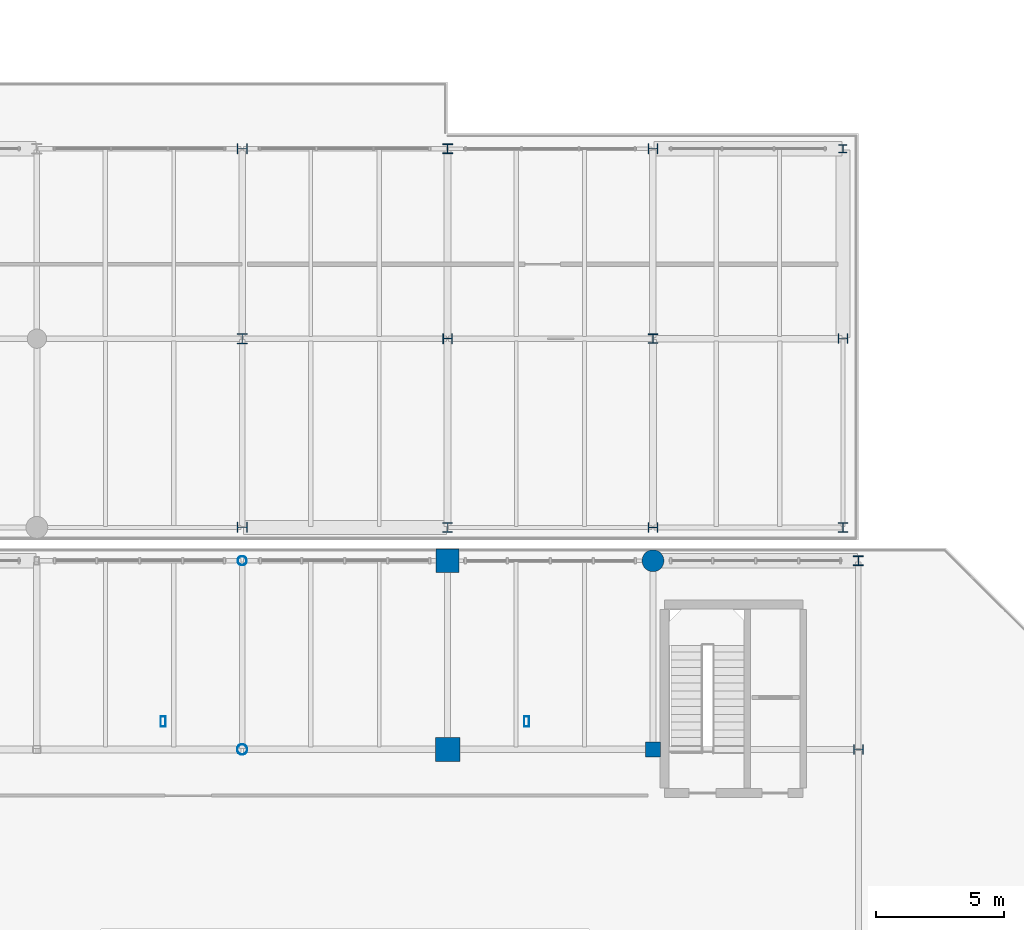
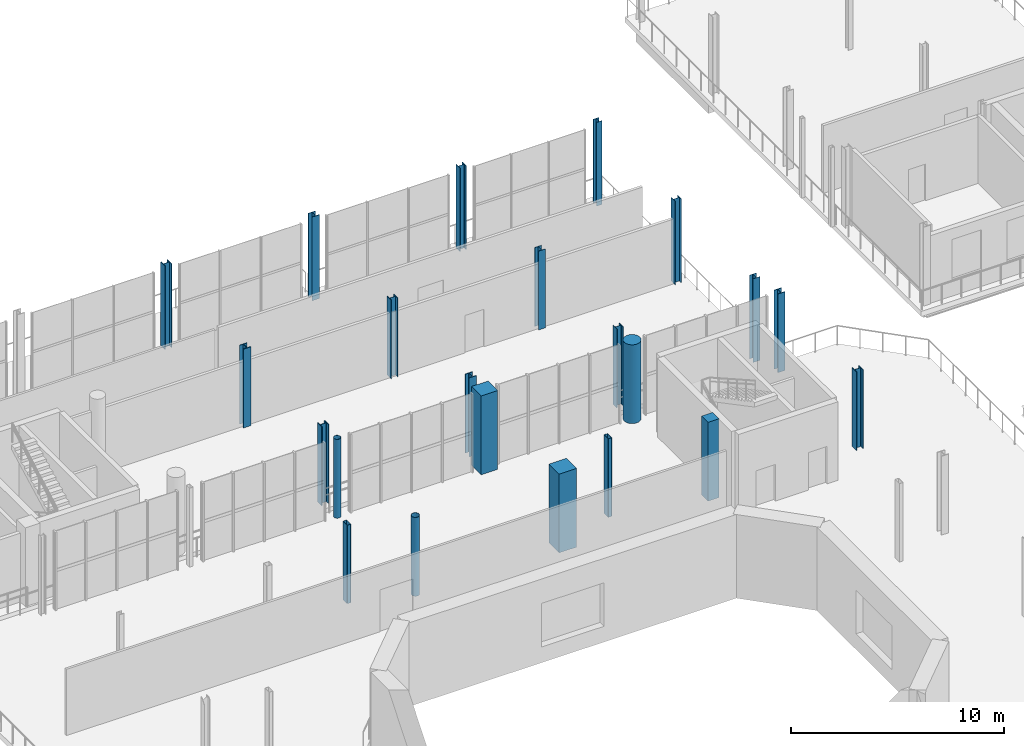
# One storey, part 22 of 93: 22 columns.
"""IFC4 building model written with IfcOpenShell, lengths in metres."""

from ifc_helpers import new_model, si_unit, direction, frame, origin, origin_2d, place, context, subcontext, project, spatial, rectangle, hollow_rectangle, circle, hollow_circle, i_section, extrude, material, material_profile, profile_set, type_object, element, save


model = new_model("IFC4")

# Units and contexts
model_context = context("Model", 3, precision=1e-05, world=origin(), true_north=direction((0.0, 1.0)))
body_context = subcontext(model_context, "Body", "Model", "MODEL_VIEW")
ifc_project = project(units=[si_unit("LENGTHUNIT", "METRE"), si_unit("AREAUNIT", "SQUARE_METRE"), si_unit("VOLUMEUNIT", "CUBIC_METRE"), si_unit("PLANEANGLEUNIT", "RADIAN"), si_unit("MASSUNIT", "GRAM", prefix="KILO")], contexts=[model_context])

# Site, building, storey
site_placement = place(None, origin())
site = spatial("IfcSite", under=ifc_project, at=site_placement, CompositionType="ELEMENT")
building_placement = place(site_placement, origin())
building = spatial("IfcBuilding", under=site, at=building_placement, Name="Brisemont Oceanarium", CompositionType="ELEMENT")
storey_placement = place(building_placement, frame((0.0, 0.0, 5.39990234375)))
storey = spatial("IfcBuildingStorey", under=building, at=storey_placement, Name="L01", CompositionType="ELEMENT", Elevation=5.39990234375)

# Columns
ifc_material_1 = material(Name="Structural Steel ASTM A500 Gr.C", Category="steel")
ifc_material_profile_1 = material_profile(ifc_material_1, hollow_circle(Radius=0.177978515625, WallThickness=0.01171875, at=origin_2d()), Name="HSS14.000X0.500")
ifc_profile_set_1 = profile_set([ifc_material_profile_1], Name="Structural Steel ASTM A500 Gr.C")
column_type_1 = type_object("IfcColumnType", Name="COL-CHS14", PredefinedType="COLUMN", material=ifc_profile_set_1)
column_1_placement = place(storey_placement, frame((80.0, 79.35009765625, 0.0), z_axis=(0.0, 0.0, 1.0), x_axis=(0.0, 1.0, 0.0)))
element("IfcColumn", 1, at=column_1_placement, inside=storey, type_object=column_type_1, Name="V1 L01 column (3,6)", PredefinedType="COLUMN", context=body_context, shape_type="SweptSolid", body=[
    extrude(hollow_circle(Radius=0.177978515625, WallThickness=0.01171875, at=origin_2d()), origin(), (0.0, 0.0, 1.0), 4.52001953125),
])
ifc_material_2 = material(Name="Structural Steel ASTM A500 Gr.C", Category="steel")
ifc_material_profile_2 = material_profile(ifc_material_2, hollow_circle(Radius=0.202880859375, WallThickness=0.01171875, at=origin_2d()), Name="HSS16.000X0.500")
ifc_profile_set_2 = profile_set([ifc_material_profile_2], Name="Structural Steel ASTM A500 Gr.C")
column_type_2 = type_object("IfcColumnType", Name="COL-CHS16", PredefinedType="COLUMN", material=ifc_profile_set_2)
column_2_placement = place(storey_placement, frame((80.0, 72.0, 0.0), z_axis=(0.0, 0.0, 1.0), x_axis=(1.0, 0.0, 0.0)))
element("IfcColumn", 2, at=column_2_placement, inside=storey, type_object=column_type_2, Name="V1 L01 column (3,5)", PredefinedType="COLUMN", context=body_context, shape_type="SweptSolid", body=[
    extrude(hollow_circle(Radius=0.202880859375, WallThickness=0.01171875, at=origin_2d()), origin(), (0.0, 0.0, 1.0), 4.52001953125),
])
ifc_material_3 = material(Name="Structural Steel ASTM A500 Gr.C", Category="steel")
ifc_material_profile_3 = material_profile(ifc_material_3, hollow_rectangle(XDim=0.202880859375, YDim=0.406005859375, WallThickness=0.01171875, InnerFilletRadius=0.01220703125, OuterFilletRadius=0.02392578125, at=origin_2d()), Name="HSS16X8X1/2")
ifc_profile_set_3 = profile_set([ifc_material_profile_3], Name="Structural Steel ASTM A500 Gr.C")
column_type_3 = type_object("IfcColumnType", Name="COL-HSS16X8", PredefinedType="COLUMN", material=ifc_profile_set_3)
for number, where, z_axis, x_axis, name in (
    (3, (91.07958984375, 73.091796875, 0.0), (0.0, 0.0, 1.0), (1.0, 0.0, 0.0), "V1 dome drum pier L01.2"),
    (4, (76.92041015625, 73.091796875, 0.0), (0.0, 0.0, 1.0), (1.0, 0.0, 0.0), "V1 dome drum pier L01.3"),
):
    element("IfcColumn", number, at=place(storey_placement, frame(where, z_axis=z_axis, x_axis=x_axis)), inside=storey, type_object=column_type_3, Name=name, PredefinedType="COLUMN", context=body_context, shape_type="SweptSolid", body=[
        extrude(hollow_rectangle(XDim=0.202880859375, YDim=0.406005859375, WallThickness=0.01171875, InnerFilletRadius=0.01220703125, OuterFilletRadius=0.02392578125, at=origin_2d()), origin(), (0.0, 0.0, 1.0), 4.5),
    ])
ifc_material_4 = material(Name="Concrete C35/45", Category="concrete")
ifc_material_profile_4 = material_profile(ifc_material_4, rectangle(XDim=0.60009765625, YDim=0.60009765625, at=origin_2d()), Name="RC-COL-600X600")
ifc_profile_set_4 = profile_set([ifc_material_profile_4], Name="Concrete C35/45")
column_type_4 = type_object("IfcColumnType", Name="COL-RC600", PredefinedType="COLUMN", material=ifc_profile_set_4)
column_3_placement = place(storey_placement, frame((96.0, 72.0, 0.0), z_axis=(0.0, 0.0, 1.0), x_axis=(1.0, 0.0, 0.0)))
element("IfcColumn", 5, at=column_3_placement, inside=storey, type_object=column_type_4, Name="V1 L01 column (5,5)", PredefinedType="COLUMN", context=body_context, shape_type="SweptSolid", body=[
    extrude(rectangle(XDim=0.60009765625, YDim=0.60009765625, at=origin_2d()), origin(), (0.0, 0.0, 1.0), 4.52001953125),
])
ifc_material_5 = material(Name="Concrete C40/50", Category="concrete")
ifc_material_profile_5 = material_profile(ifc_material_5, rectangle(XDim=0.89990234375, YDim=0.89990234375, at=origin_2d()), Name="RC-COL-900X900")
ifc_profile_set_5 = profile_set([ifc_material_profile_5], Name="Concrete C40/50")
column_type_5 = type_object("IfcColumnType", Name="COL-RC900", PredefinedType="COLUMN", material=ifc_profile_set_5)
column_4_placement = place(storey_placement, frame((88.0, 79.35009765625, 0.0), z_axis=(0.0, 0.0, 1.0), x_axis=(1.0, 0.0, 0.0)))
element("IfcColumn", 6, at=column_4_placement, inside=storey, type_object=column_type_5, Name="V1 L01 column (4,6)", PredefinedType="COLUMN", context=body_context, shape_type="SweptSolid", body=[
    extrude(rectangle(XDim=0.89990234375, YDim=0.89990234375, at=origin_2d()), origin(), (0.0, 0.0, 1.0), 4.52001953125),
])
ifc_material_6 = material(Name="Concrete C40/50", Category="concrete")
ifc_material_profile_6 = material_profile(ifc_material_6, rectangle(XDim=0.949951171875, YDim=0.949951171875, at=origin_2d()), Name="RC-COL-950X950")
ifc_profile_set_6 = profile_set([ifc_material_profile_6], Name="Concrete C40/50")
column_type_6 = type_object("IfcColumnType", Name="COL-RC950", PredefinedType="COLUMN", material=ifc_profile_set_6)
column_5_placement = place(storey_placement, frame((88.0, 72.0, 0.0), z_axis=(0.0, 0.0, 1.0), x_axis=(0.0, 1.0, 0.0)))
element("IfcColumn", 7, at=column_5_placement, inside=storey, type_object=column_type_6, Name="V1 L01 column (4,5)", PredefinedType="COLUMN", context=body_context, shape_type="SweptSolid", body=[
    extrude(rectangle(XDim=0.949951171875, YDim=0.949951171875, at=origin_2d()), origin(), (0.0, 0.0, 1.0), 4.52001953125),
])
ifc_material_7 = material(Name="Concrete C40/50", Category="concrete")
ifc_material_profile_7 = material_profile(ifc_material_7, circle(Radius=0.425048828125, at=origin_2d()), Name="RC-COL-D850")
ifc_profile_set_7 = profile_set([ifc_material_profile_7], Name="Concrete C40/50")
column_type_7 = type_object("IfcColumnType", Name="COL-RCD850", PredefinedType="COLUMN", material=ifc_profile_set_7)
column_6_placement = place(storey_placement, frame((96.0, 79.35009765625, 0.0), z_axis=(0.0, 0.0, 1.0), x_axis=(0.0, 1.0, 0.0)))
element("IfcColumn", 8, at=column_6_placement, inside=storey, type_object=column_type_7, Name="V1 L01 column (5,6)", PredefinedType="COLUMN", context=body_context, shape_type="SweptSolid", body=[
    extrude(circle(Radius=0.425048828125, at=origin_2d()), origin(), (0.0, 0.0, 1.0), 4.52001953125),
])
ifc_material_8 = material(Name="Structural Steel ASTM A992 Gr.50", Category="steel")
ifc_material_profile_8 = material_profile(ifc_material_8, i_section(OverallWidth=0.30810546875, OverallDepth=0.318115234375, WebThickness=0.01318359375, FlangeThickness=0.0205078125, FilletRadius=0.012939453125, at=origin_2d()), Name="W12X87")
ifc_profile_set_8 = profile_set([ifc_material_profile_8], Name="Structural Steel ASTM A992 Gr.50")
column_type_8 = type_object("IfcColumnType", Name="COL-W12X87", PredefinedType="COLUMN", material=ifc_profile_set_8)
column_7_placement = place(storey_placement, frame((103.39990234375, 95.39990234375, 0.0), z_axis=(0.0, 0.0, 1.0), x_axis=(1.0, 0.0, 0.0)))
element("IfcColumn", 9, at=column_7_placement, inside=storey, type_object=column_type_8, Name="V7E L01 column (6,2)", PredefinedType="COLUMN", context=body_context, shape_type="SweptSolid", body=[
    extrude(i_section(OverallWidth=0.30810546875, OverallDepth=0.318115234375, WebThickness=0.01318359375, FlangeThickness=0.0205078125, FilletRadius=0.012939453125, at=origin_2d()), origin(), (0.0, 0.0, 1.0), 4.800048828125),
])
ifc_material_9 = material(Name="Structural Steel ASTM A992 Gr.50", Category="steel")
ifc_material_profile_9 = material_profile(ifc_material_9, i_section(OverallWidth=0.37109375, OverallDepth=0.364013671875, WebThickness=0.01318359375, FlangeThickness=0.021728515625, FilletRadius=0.014892578125, at=origin_2d()), Name="W14X109")
ifc_profile_set_9 = profile_set([ifc_material_profile_9], Name="Structural Steel ASTM A992 Gr.50")
column_type_9 = type_object("IfcColumnType", Name="COL-W14X109", PredefinedType="COLUMN", material=ifc_profile_set_9)
column_8_placement = place(storey_placement, frame((96.0, 95.39990234375, 0.0), z_axis=(0.0, 0.0, 1.0), x_axis=(0.0, 1.0, 0.0)))
element("IfcColumn", 10, at=column_8_placement, inside=storey, type_object=column_type_9, Name="V7E L01 column (5,2)", PredefinedType="COLUMN", context=body_context, shape_type="SweptSolid", body=[
    extrude(i_section(OverallWidth=0.37109375, OverallDepth=0.364013671875, WebThickness=0.01318359375, FlangeThickness=0.021728515625, FilletRadius=0.014892578125, at=origin_2d()), origin(), (0.0, 0.0, 1.0), 4.800048828125),
])
ifc_material_10 = material(Name="Structural Steel ASTM A992 Gr.50", Category="steel")
ifc_material_profile_10 = material_profile(ifc_material_10, i_section(OverallWidth=0.373046875, OverallDepth=0.367919921875, WebThickness=0.014892578125, FlangeThickness=0.02392578125, FilletRadius=0.014892578125, at=origin_2d()), Name="W14X120")
ifc_profile_set_10 = profile_set([ifc_material_profile_10], Name="Structural Steel ASTM A992 Gr.50")
column_type_10 = type_object("IfcColumnType", Name="COL-W14X120", PredefinedType="COLUMN", material=ifc_profile_set_10)
column_9_placement = place(storey_placement, frame((96.0, 88.0, 0.0), z_axis=(0.0, 0.0, 1.0), x_axis=(1.0, 0.0, 0.0)))
element("IfcColumn", 11, at=column_9_placement, inside=storey, type_object=column_type_10, Name="V7E L01 column (5,1)", PredefinedType="COLUMN", context=body_context, shape_type="SweptSolid", body=[
    extrude(i_section(OverallWidth=0.373046875, OverallDepth=0.367919921875, WebThickness=0.014892578125, FlangeThickness=0.02392578125, FilletRadius=0.014892578125, at=origin_2d()), origin(), (0.0, 0.0, 1.0), 4.52001953125),
])
ifc_material_11 = material(Name="Structural Steel ASTM A992 Gr.50", Category="steel")
ifc_material_profile_11 = material_profile(ifc_material_11, i_section(OverallWidth=0.3740234375, OverallDepth=0.3720703125, WebThickness=0.016357421875, FlangeThickness=0.026123046875, FilletRadius=0.014892578125, at=origin_2d()), Name="W14X132")
ifc_profile_set_11 = profile_set([ifc_material_profile_11], Name="Structural Steel ASTM A992 Gr.50")
column_type_11 = type_object("IfcColumnType", Name="COL-W14X132", PredefinedType="COLUMN", material=ifc_profile_set_11)
column_10_placement = place(storey_placement, frame((96.0, 80.64990234375, 0.0), z_axis=(0.0, 0.0, 1.0), x_axis=(0.0, 1.0, 0.0)))
element("IfcColumn", 12, at=column_10_placement, inside=storey, type_object=column_type_11, Name="V7E L01 column (5,0)", PredefinedType="COLUMN", context=body_context, shape_type="SweptSolid", body=[
    extrude(i_section(OverallWidth=0.3740234375, OverallDepth=0.3720703125, WebThickness=0.016357421875, FlangeThickness=0.026123046875, FilletRadius=0.014892578125, at=origin_2d()), origin(), (0.0, 0.0, 1.0), 4.52001953125),
])
ifc_material_12 = material(Name="Structural Steel ASTM A992 Gr.50", Category="steel")
ifc_material_profile_12 = material_profile(ifc_material_12, i_section(OverallWidth=0.39404296875, OverallDepth=0.3759765625, WebThickness=0.017333984375, FlangeThickness=0.027587890625, FilletRadius=0.014892578125, at=origin_2d()), Name="W14X145")
ifc_profile_set_12 = profile_set([ifc_material_profile_12], Name="Structural Steel ASTM A992 Gr.50")
column_type_12 = type_object("IfcColumnType", Name="COL-W14X145", PredefinedType="COLUMN", material=ifc_profile_set_12)
column_11_placement = place(storey_placement, frame((88.0, 95.39990234375, 0.0), z_axis=(0.0, 0.0, 1.0), x_axis=(1.0, 0.0, 0.0)))
element("IfcColumn", 13, at=column_11_placement, inside=storey, type_object=column_type_12, Name="V7E L01 column (4,2)", PredefinedType="COLUMN", context=body_context, shape_type="SweptSolid", body=[
    extrude(i_section(OverallWidth=0.39404296875, OverallDepth=0.3759765625, WebThickness=0.017333984375, FlangeThickness=0.027587890625, FilletRadius=0.014892578125, at=origin_2d()), origin(), (0.0, 0.0, 1.0), 4.800048828125),
])
ifc_material_13 = material(Name="Structural Steel ASTM A992 Gr.50", Category="steel")
ifc_material_profile_13 = material_profile(ifc_material_13, i_section(OverallWidth=0.39501953125, OverallDepth=0.3798828125, WebThickness=0.018798828125, FlangeThickness=0.0302734375, FilletRadius=0.014892578125, at=origin_2d()), Name="W14X159")
ifc_profile_set_13 = profile_set([ifc_material_profile_13], Name="Structural Steel ASTM A992 Gr.50")
column_type_13 = type_object("IfcColumnType", Name="COL-W14X159", PredefinedType="COLUMN", material=ifc_profile_set_13)
for number, where, z_axis, x_axis, name in (
    (14, (104.0, 79.35009765625, 0.0), (0.0, 0.0, 1.0), (1.0, 0.0, 0.0), "V1 L01 column (6,6)"),
    (15, (88.0, 88.0, 0.0), (0.0, 0.0, 1.0), (0.0, 1.0, 0.0), "V7E L01 column (4,1)"),
):
    element("IfcColumn", number, at=place(storey_placement, frame(where, z_axis=z_axis, x_axis=x_axis)), inside=storey, type_object=column_type_13, Name=name, PredefinedType="COLUMN", context=body_context, shape_type="SweptSolid", body=[
        extrude(i_section(OverallWidth=0.39501953125, OverallDepth=0.3798828125, WebThickness=0.018798828125, FlangeThickness=0.0302734375, FilletRadius=0.014892578125, at=origin_2d()), origin(), (0.0, 0.0, 1.0), 4.52001953125),
    ])
ifc_material_14 = material(Name="Structural Steel ASTM A992 Gr.50", Category="steel")
ifc_material_profile_14 = material_profile(ifc_material_14, i_section(OverallWidth=0.39892578125, OverallDepth=0.385986328125, WebThickness=0.02099609375, FlangeThickness=0.033203125, FilletRadius=0.014892578125, at=origin_2d()), Name="W14X176")
ifc_profile_set_14 = profile_set([ifc_material_profile_14], Name="Structural Steel ASTM A992 Gr.50")
column_type_14 = type_object("IfcColumnType", Name="COL-W14X176", PredefinedType="COLUMN", material=ifc_profile_set_14)
for number, where, z_axis, x_axis, name in (
    (16, (104.0, 72.0, 0.0), (0.0, 0.0, 1.0), (0.0, 1.0, 0.0), "V1 L01 column (6,5)"),
    (17, (88.0, 80.64990234375, 0.0), (0.0, 0.0, 1.0), (1.0, 0.0, 0.0), "V7E L01 column (4,0)"),
):
    element("IfcColumn", number, at=place(storey_placement, frame(where, z_axis=z_axis, x_axis=x_axis)), inside=storey, type_object=column_type_14, Name=name, PredefinedType="COLUMN", context=body_context, shape_type="SweptSolid", body=[
        extrude(i_section(OverallWidth=0.39892578125, OverallDepth=0.385986328125, WebThickness=0.02099609375, FlangeThickness=0.033203125, FilletRadius=0.014892578125, at=origin_2d()), origin(), (0.0, 0.0, 1.0), 4.52001953125),
    ])
ifc_material_15 = material(Name="Structural Steel ASTM A992 Gr.50", Category="steel")
ifc_material_profile_15 = material_profile(ifc_material_15, i_section(OverallWidth=0.39990234375, OverallDepth=0.39306640625, WebThickness=0.022705078125, FlangeThickness=0.03662109375, FilletRadius=0.014892578125, at=origin_2d()), Name="W14X193")
ifc_profile_set_15 = profile_set([ifc_material_profile_15], Name="Structural Steel ASTM A992 Gr.50")
column_type_15 = type_object("IfcColumnType", Name="COL-W14X193", PredefinedType="COLUMN", material=ifc_profile_set_15)
column_12_placement = place(storey_placement, frame((80.0, 95.39990234375, 0.0), z_axis=(0.0, 0.0, 1.0), x_axis=(0.0, 1.0, 0.0)))
element("IfcColumn", 18, at=column_12_placement, inside=storey, type_object=column_type_15, Name="V7E L01 column (3,2)", PredefinedType="COLUMN", context=body_context, shape_type="SweptSolid", body=[
    extrude(i_section(OverallWidth=0.39990234375, OverallDepth=0.39306640625, WebThickness=0.022705078125, FlangeThickness=0.03662109375, FilletRadius=0.014892578125, at=origin_2d()), origin(), (0.0, 0.0, 1.0), 4.800048828125),
])
ifc_material_16 = material(Name="Structural Steel ASTM A992 Gr.50", Category="steel")
ifc_material_profile_16 = material_profile(ifc_material_16, i_section(OverallWidth=0.40087890625, OverallDepth=0.39892578125, WebThickness=0.02490234375, FlangeThickness=0.03955078125, FilletRadius=0.014892578125, at=origin_2d()), Name="W14X211")
ifc_profile_set_16 = profile_set([ifc_material_profile_16], Name="Structural Steel ASTM A992 Gr.50")
column_type_16 = type_object("IfcColumnType", Name="COL-W14X211", PredefinedType="COLUMN", material=ifc_profile_set_16)
column_13_placement = place(storey_placement, frame((80.0, 88.0, 0.0), z_axis=(0.0, 0.0, 1.0), x_axis=(1.0, 0.0, 0.0)))
element("IfcColumn", 19, at=column_13_placement, inside=storey, type_object=column_type_16, Name="V7E L01 column (3,1)", PredefinedType="COLUMN", context=body_context, shape_type="SweptSolid", body=[
    extrude(i_section(OverallWidth=0.40087890625, OverallDepth=0.39892578125, WebThickness=0.02490234375, FlangeThickness=0.03955078125, FilletRadius=0.014892578125, at=origin_2d()), origin(), (0.0, 0.0, 1.0), 4.52001953125),
])
ifc_material_17 = material(Name="Structural Steel ASTM A992 Gr.50", Category="steel")
ifc_material_profile_17 = material_profile(ifc_material_17, i_section(OverallWidth=0.404052734375, OverallDepth=0.406982421875, WebThickness=0.027099609375, FlangeThickness=0.043701171875, FilletRadius=0.014892578125, at=origin_2d()), Name="W14X233")
ifc_profile_set_17 = profile_set([ifc_material_profile_17], Name="Structural Steel ASTM A992 Gr.50")
column_type_17 = type_object("IfcColumnType", Name="COL-W14X233", PredefinedType="COLUMN", material=ifc_profile_set_17)
column_14_placement = place(storey_placement, frame((80.0, 80.64990234375, 0.0), z_axis=(0.0, 0.0, 1.0), x_axis=(0.0, 1.0, 0.0)))
element("IfcColumn", 20, at=column_14_placement, inside=storey, type_object=column_type_17, Name="V7E L01 column (3,0)", PredefinedType="COLUMN", context=body_context, shape_type="SweptSolid", body=[
    extrude(i_section(OverallWidth=0.404052734375, OverallDepth=0.406982421875, WebThickness=0.027099609375, FlangeThickness=0.043701171875, FilletRadius=0.014892578125, at=origin_2d()), origin(), (0.0, 0.0, 1.0), 4.52001953125),
])
ifc_material_18 = material(Name="Structural Steel ASTM A992 Gr.50", Category="steel")
ifc_material_profile_18 = material_profile(ifc_material_18, i_section(OverallWidth=0.367919921875, OverallDepth=0.35595703125, WebThickness=0.01123046875, FlangeThickness=0.01806640625, FilletRadius=0.014892578125, at=origin_2d()), Name="W14X90")
ifc_profile_set_18 = profile_set([ifc_material_profile_18], Name="Structural Steel ASTM A992 Gr.50")
column_type_18 = type_object("IfcColumnType", Name="COL-W14X90", PredefinedType="COLUMN", material=ifc_profile_set_18)
column_15_placement = place(storey_placement, frame((103.39990234375, 88.0, 0.0), z_axis=(0.0, 0.0, 1.0), x_axis=(0.0, 1.0, 0.0)))
element("IfcColumn", 21, at=column_15_placement, inside=storey, type_object=column_type_18, Name="V7E L01 column (6,1)", PredefinedType="COLUMN", context=body_context, shape_type="SweptSolid", body=[
    extrude(i_section(OverallWidth=0.367919921875, OverallDepth=0.35595703125, WebThickness=0.01123046875, FlangeThickness=0.01806640625, FilletRadius=0.014892578125, at=origin_2d()), origin(), (0.0, 0.0, 1.0), 4.800048828125),
])
ifc_material_19 = material(Name="Structural Steel ASTM A992 Gr.50", Category="steel")
ifc_material_profile_19 = material_profile(ifc_material_19, i_section(OverallWidth=0.37109375, OverallDepth=0.361083984375, WebThickness=0.01220703125, FlangeThickness=0.019775390625, FilletRadius=0.014892578125, at=origin_2d()), Name="W14X99")
ifc_profile_set_19 = profile_set([ifc_material_profile_19], Name="Structural Steel ASTM A992 Gr.50")
column_type_19 = type_object("IfcColumnType", Name="COL-W14X99", PredefinedType="COLUMN", material=ifc_profile_set_19)
column_16_placement = place(storey_placement, frame((103.39990234375, 80.64990234375, 0.0), z_axis=(0.0, 0.0, 1.0), x_axis=(1.0, 0.0, 0.0)))
element("IfcColumn", 22, at=column_16_placement, inside=storey, type_object=column_type_19, Name="V7E L01 column (6,0)", PredefinedType="COLUMN", context=body_context, shape_type="SweptSolid", body=[
    extrude(i_section(OverallWidth=0.37109375, OverallDepth=0.361083984375, WebThickness=0.01220703125, FlangeThickness=0.019775390625, FilletRadius=0.014892578125, at=origin_2d()), origin(), (0.0, 0.0, 1.0), 4.800048828125),
])

save(model, "model.ifc")
